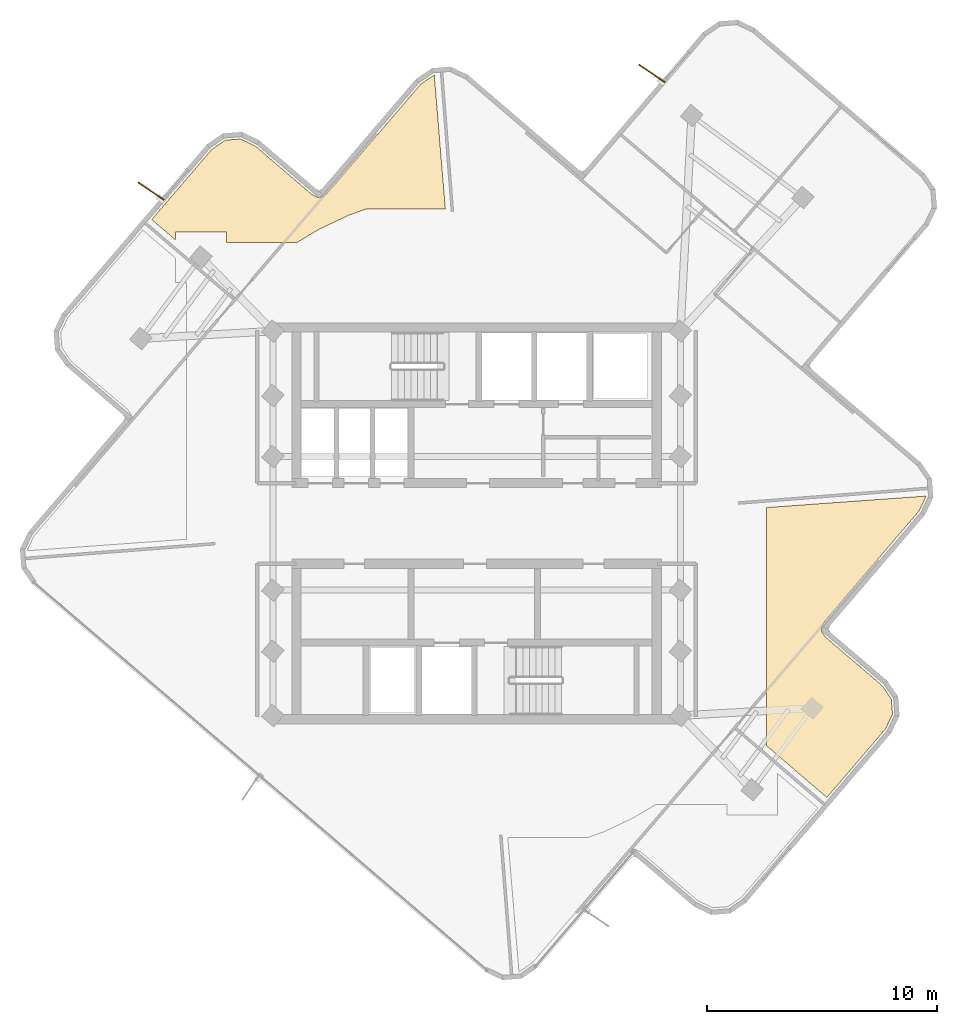
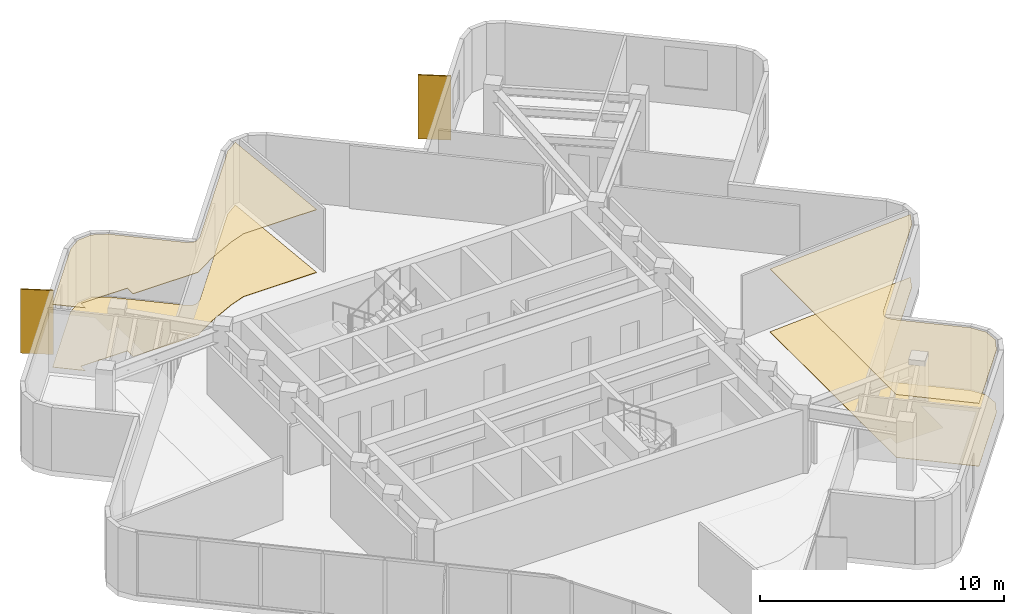
# One storey, part 11 of 11: 4 coverings, 2 shading devices.
"""IFC4 building model written with IfcOpenShell, lengths in metres."""

from ifc_helpers import new_model, si_unit, direction, frame, origin, origin_2d, place, context, subcontext, project, spatial, polyline, rectangle, outline, extrude, material, layer, layer_set, type_object, element, save


model = new_model("IFC4")

# Units and contexts
model_context = context("Model", 3, precision=1e-05, world=origin(), true_north=direction((0.0, 1.0)))
body_context = subcontext(model_context, "Body", "Model", "MODEL_VIEW")
ifc_project = project(units=[si_unit("LENGTHUNIT", "METRE"), si_unit("AREAUNIT", "SQUARE_METRE"), si_unit("VOLUMEUNIT", "CUBIC_METRE"), si_unit("PLANEANGLEUNIT", "RADIAN"), si_unit("MASSUNIT", "GRAM", prefix="KILO")], contexts=[model_context])

# Site, building, storey
site_placement = place(None, origin())
site = spatial("IfcSite", under=ifc_project, at=site_placement, CompositionType="ELEMENT")
building_placement = place(site_placement, origin())
building = spatial("IfcBuilding", under=site, at=building_placement, Name="Solmarez Civic Tower", CompositionType="ELEMENT")
storey_placement = place(building_placement, frame((0.0, 0.0, 250.919921875)))
storey = spatial("IfcBuildingStorey", under=building, at=storey_placement, Name="L67", CompositionType="ELEMENT", Elevation=250.919921875)

# Coverings
ifc_material_1 = material(Name="Perforated Mineral-Fibre Acoustic Ceiling")
ifc_layer_1 = layer(ifc_material_1, 0.02490234375)
ifc_layer_set_1 = layer_set([ifc_layer_1], Name="Perforated Mineral-Fibre Acoustic Ceiling")
covering_type_1 = type_object("IfcCoveringType", Name="COV-CEIL-ACOUSTIC", PredefinedType="CEILING", material=ifc_layer_set_1)
covering_1_placement = place(storey_placement, frame((0.0, 0.0, 3.135009765625)))
element("IfcCovering", 1, at=covering_1_placement, inside=storey, type_object=covering_type_1, Name="L67 Suspended Acoustic Ceiling 2", PredefinedType="CEILING", context=body_context, shape_type="SweptSolid", body=[
    extrude(outline(polyline([(12.60009765625, 0.68896484375), (12.60009765625, -9.6650390625), (15.215087890625, -11.904052734375), (17.758056640625, -8.93310546875), (18.06396484375, -8.2939453125), (18.011962890625, -7.62890625), (17.612060546875, -7.0439453125), (15.181884765625, -4.965087890625), (15.177001953125, -4.9609375), (15.160888671875, -4.946044921875), (15.14599609375, -4.928955078125), (15.14208984375, -4.924072265625), (15.1279296875, -4.905029296875), (15.029052734375, -4.760986328125), (15.02490234375, -4.7548828125), (15.014892578125, -4.738037109375), (15.006103515625, -4.719970703125), (15.0029296875, -4.712890625), (15.0, -4.7060546875), (14.993896484375, -4.68896484375), (14.989013671875, -4.672119140625), (14.987060546875, -4.6640625), (14.98193359375, -4.64208984375), (14.98095703125, -4.631103515625), (14.97998046875, -4.623046875), (14.97802734375, -4.60400390625), (14.97802734375, -4.583984375), (14.97900390625, -4.573974609375), (14.97998046875, -4.56103515625), (14.98291015625, -4.5400390625), (14.987060546875, -4.52099609375), (14.989990234375, -4.512939453125), (14.9951171875, -4.49609375), (15.0009765625, -4.47900390625), (15.00390625, -4.471923828125), (15.007080078125, -4.464111328125), (15.0810546875, -4.30908203125), (15.090087890625, -4.2939453125), (15.10205078125, -4.27294921875), (15.115966796875, -4.25390625), (15.1279296875, -4.239990234375), (19.220947265625, 0.5419921875), (19.527099609375, 1.181884765625), (19.527099609375, 1.18798828125), (12.60009765625, 0.68896484375)])), origin(), (0.0, 0.0, 1.0), 0.025146484375),
])
covering_2_placement = place(storey_placement, frame((0.0, 0.0, 3.135009765625)))
element("IfcCovering", 2, at=covering_2_placement, inside=storey, type_object=covering_type_1, Name="L67 Suspended Acoustic Ceiling 4", PredefinedType="CEILING", context=body_context, shape_type="SweptSolid", body=[
    extrude(outline(polyline([(-13.071044921875, 12.305908203125), (-13.071044921875, 12.666015625), (-10.87109375, 12.666015625), (-10.87109375, 12.199951171875), (-7.797119140625, 12.199951171875), (-6.842041015625, 12.77294921875), (-6.826904296875, 12.781005859375), (-6.81396484375, 12.787109375), (-5.552978515625, 13.384033203125), (-5.532958984375, 13.39208984375), (-4.85107421875, 13.635986328125), (-4.844970703125, 13.637939453125), (-4.818115234375, 13.64501953125), (-4.81298828125, 13.64599609375), (-4.7919921875, 13.64892578125), (-4.77001953125, 13.64990234375), (-1.35595703125, 13.64990234375), (-1.840087890625, 19.47607421875), (-1.846923828125, 19.47509765625), (-2.430908203125, 19.073974609375), (-6.4619140625, 14.364990234375), (-6.47705078125, 14.347900390625), (-6.493896484375, 14.33203125), (-6.5, 14.327880859375), (-6.5048828125, 14.323974609375), (-6.52099609375, 14.31103515625), (-6.6630859375, 14.214111328125), (-6.677978515625, 14.205078125), (-6.68505859375, 14.200927734375), (-6.696044921875, 14.195068359375), (-6.701904296875, 14.19189453125), (-6.712890625, 14.18701171875), (-6.719970703125, 14.18408203125), (-6.737060546875, 14.177978515625), (-6.75390625, 14.173095703125), (-6.761962890625, 14.1708984375), (-6.783935546875, 14.166015625), (-6.794921875, 14.1650390625), (-6.802978515625, 14.1640625), (-6.830078125, 14.162109375), (-6.837890625, 14.162109375), (-6.868896484375, 14.1640625), (-6.8759765625, 14.1650390625), (-6.89794921875, 14.169921875), (-6.906005859375, 14.172119140625), (-6.9130859375, 14.173095703125), (-6.919921875, 14.175048828125), (-6.947021484375, 14.18505859375), (-6.9541015625, 14.18798828125), (-6.9619140625, 14.19091796875), (-7.1201171875, 14.26708984375), (-7.1259765625, 14.27001953125), (-7.14990234375, 14.283935546875), (-7.156005859375, 14.2880859375), (-7.1708984375, 14.299072265625), (-7.176025390625, 14.302978515625), (-7.181884765625, 14.30810546875), (-9.613037109375, 16.388916015625), (-10.2529296875, 16.695068359375), (-10.91796875, 16.64306640625), (-11.501953125, 16.241943359375), (-14.110107421875, 13.195068359375), (-13.071044921875, 12.305908203125)])), origin(), (0.0, 0.0, 1.0), 0.025146484375),
])
ifc_material_2 = material(Name="Polished Tropical Stone Terrazzo Flooring", Category="masonry")
ifc_layer_2 = layer(ifc_material_2, 0.02001953125)
ifc_layer_set_2 = layer_set([ifc_layer_2], Name="Polished Tropical Stone Terrazzo Flooring")
covering_type_2 = type_object("IfcCoveringType", Name="COV-FLOOR-TERRAZZO", PredefinedType="FLOORING", material=ifc_layer_set_2)
covering_3_placement = place(storey_placement, origin())
element("IfcCovering", 3, at=covering_3_placement, inside=storey, type_object=covering_type_2, Name="L67 Terrazzo Floor Finish 2", PredefinedType="FLOORING", context=body_context, shape_type="SweptSolid", body=[
    extrude(outline(polyline([(12.60009765625, 0.68896484375), (12.60009765625, -9.6650390625), (15.215087890625, -11.904052734375), (17.758056640625, -8.93310546875), (18.06396484375, -8.2939453125), (18.011962890625, -7.62890625), (17.612060546875, -7.0439453125), (15.181884765625, -4.965087890625), (15.177001953125, -4.9609375), (15.160888671875, -4.946044921875), (15.14599609375, -4.928955078125), (15.14208984375, -4.924072265625), (15.1279296875, -4.905029296875), (15.029052734375, -4.760986328125), (15.02490234375, -4.7548828125), (15.014892578125, -4.738037109375), (15.006103515625, -4.719970703125), (15.0029296875, -4.712890625), (15.0, -4.7060546875), (14.993896484375, -4.68896484375), (14.989013671875, -4.672119140625), (14.987060546875, -4.6640625), (14.98193359375, -4.64208984375), (14.98095703125, -4.631103515625), (14.97998046875, -4.623046875), (14.97802734375, -4.60400390625), (14.97802734375, -4.583984375), (14.97900390625, -4.573974609375), (14.97998046875, -4.56103515625), (14.98291015625, -4.5400390625), (14.987060546875, -4.52099609375), (14.989990234375, -4.512939453125), (14.9951171875, -4.49609375), (15.0009765625, -4.47900390625), (15.00390625, -4.471923828125), (15.007080078125, -4.464111328125), (15.0810546875, -4.30908203125), (15.090087890625, -4.2939453125), (15.10205078125, -4.27294921875), (15.115966796875, -4.25390625), (15.1279296875, -4.239990234375), (19.220947265625, 0.5419921875), (19.527099609375, 1.181884765625), (19.527099609375, 1.18798828125), (12.60009765625, 0.68896484375)])), origin(), (0.0, 0.0, 1.0), 0.02001953125),
])
covering_4_placement = place(storey_placement, origin())
element("IfcCovering", 4, at=covering_4_placement, inside=storey, type_object=covering_type_2, Name="L67 Terrazzo Floor Finish 4", PredefinedType="FLOORING", context=body_context, shape_type="SweptSolid", body=[
    extrude(outline(polyline([(-13.071044921875, 12.305908203125), (-13.071044921875, 12.666015625), (-10.87109375, 12.666015625), (-10.87109375, 12.199951171875), (-7.797119140625, 12.199951171875), (-6.842041015625, 12.77294921875), (-6.826904296875, 12.781005859375), (-6.81396484375, 12.787109375), (-5.552978515625, 13.384033203125), (-5.532958984375, 13.39208984375), (-4.85107421875, 13.635986328125), (-4.844970703125, 13.637939453125), (-4.818115234375, 13.64501953125), (-4.81298828125, 13.64599609375), (-4.7919921875, 13.64892578125), (-4.77001953125, 13.64990234375), (-1.35595703125, 13.64990234375), (-1.840087890625, 19.47607421875), (-1.846923828125, 19.47509765625), (-2.430908203125, 19.073974609375), (-6.4619140625, 14.364990234375), (-6.47705078125, 14.347900390625), (-6.493896484375, 14.33203125), (-6.5, 14.327880859375), (-6.5048828125, 14.323974609375), (-6.52099609375, 14.31103515625), (-6.6630859375, 14.214111328125), (-6.677978515625, 14.205078125), (-6.68505859375, 14.200927734375), (-6.696044921875, 14.195068359375), (-6.701904296875, 14.19189453125), (-6.712890625, 14.18701171875), (-6.719970703125, 14.18408203125), (-6.737060546875, 14.177978515625), (-6.75390625, 14.173095703125), (-6.761962890625, 14.1708984375), (-6.783935546875, 14.166015625), (-6.794921875, 14.1650390625), (-6.802978515625, 14.1640625), (-6.830078125, 14.162109375), (-6.837890625, 14.162109375), (-6.868896484375, 14.1640625), (-6.8759765625, 14.1650390625), (-6.89794921875, 14.169921875), (-6.906005859375, 14.172119140625), (-6.9130859375, 14.173095703125), (-6.919921875, 14.175048828125), (-6.947021484375, 14.18505859375), (-6.9541015625, 14.18798828125), (-6.9619140625, 14.19091796875), (-7.1201171875, 14.26708984375), (-7.1259765625, 14.27001953125), (-7.14990234375, 14.283935546875), (-7.156005859375, 14.2880859375), (-7.1708984375, 14.299072265625), (-7.176025390625, 14.302978515625), (-7.181884765625, 14.30810546875), (-9.613037109375, 16.388916015625), (-10.2529296875, 16.695068359375), (-10.91796875, 16.64306640625), (-11.501953125, 16.241943359375), (-14.110107421875, 13.195068359375), (-13.071044921875, 12.305908203125)])), origin(), (0.0, 0.0, 1.0), 0.02001953125),
])

# Shading devices
ifc_material_3 = material(Name="Bronze Anodised Aluminium EN AW-6063 T6", Category="aluminium")
ifc_layer_3 = layer(ifc_material_3, 0.054931640625)
ifc_layer_set_3 = layer_set([ifc_layer_3], Name="Bronze Anodised Aluminium EN AW-6063 T6")
shading_device_type = type_object("IfcShadingDeviceType", Name="FIN-BRONZE-Z56", PredefinedType="USERDEFINED", material=ifc_layer_set_3)
for number, where, z_axis, x_axis, name in (
    (5, (-14.136962890625, 14.431884765625, -0.0400390625), (0.0, 0.0, 1.0), (-0.827384569575, 0.561635801947, 0.0), "L67 Anodised Bronze Solar Fin FIN-L67-03"),
    (6, (7.613037109375, 19.5439453125, -0.0400390625), (0.0, 0.0, 1.0), (-0.827345357983, 0.561693562918, 0.0), "L67 Anodised Bronze Solar Fin FIN-L67-04"),
):
    element("IfcShadingDevice", number, at=place(storey_placement, frame(where, z_axis=z_axis, x_axis=x_axis)), inside=storey, type_object=shading_device_type, Name=name, ObjectType="FIN", PredefinedType="USERDEFINED", context=body_context, shape_type="SweptSolid", body=[
        extrude(rectangle(XDim=1.35009765625, YDim=0.054931640625, at=origin_2d()), origin(), (0.0, 0.0, 1.0), 3.199951171875),
    ])

save(model, "model.ifc")
